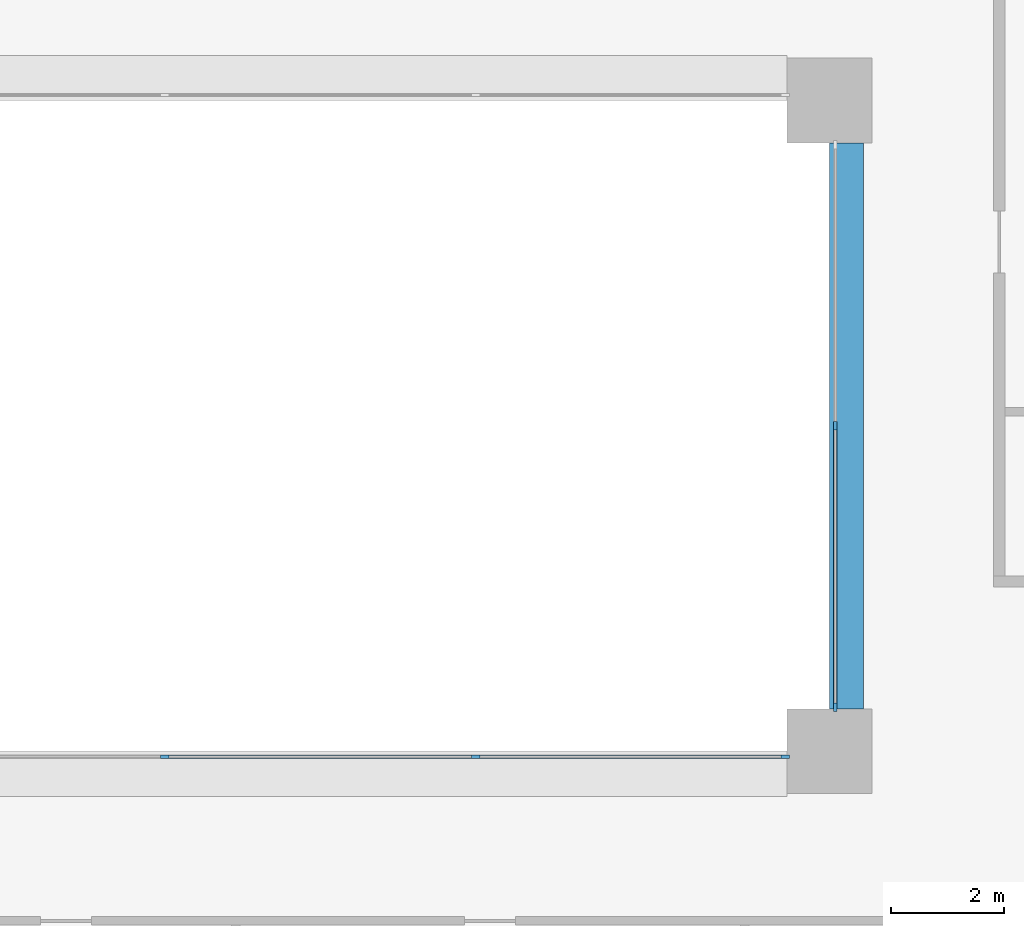
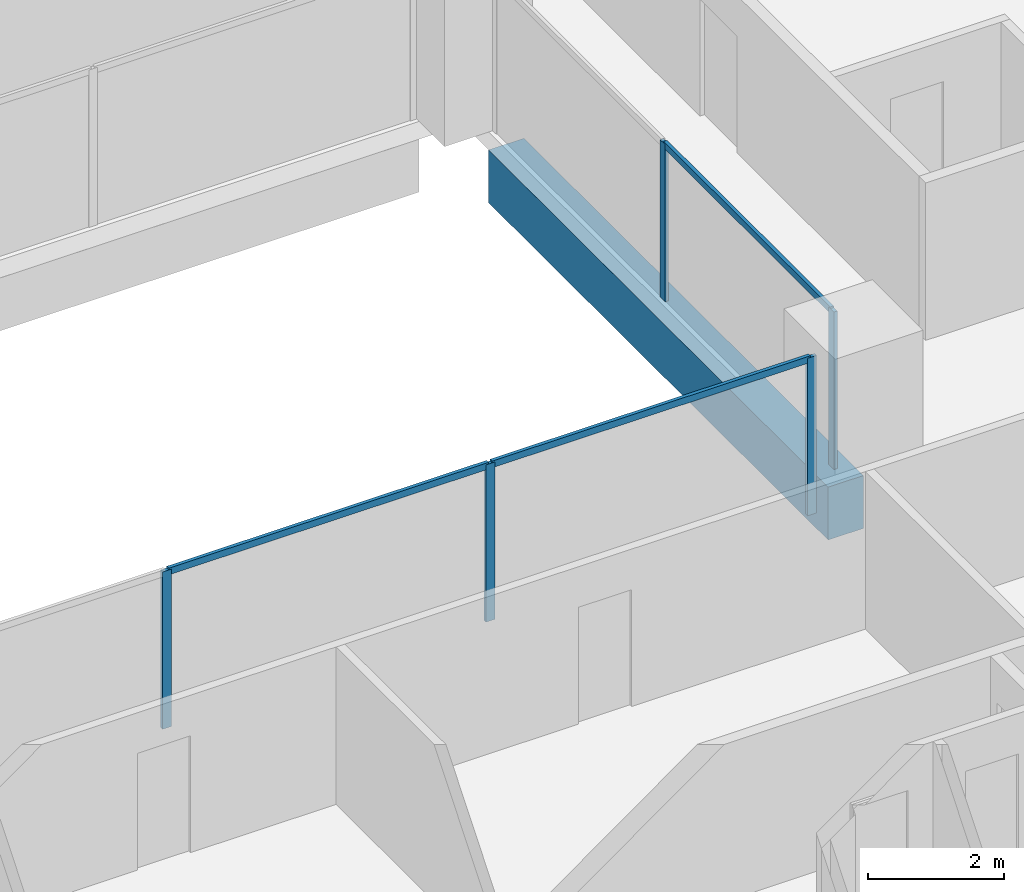
# One storey, part 4 of 19: 8 members, 1 beam, 2 elements without a shape of their own.
"""IFC4 building model written with IfcOpenShell, lengths in metres."""

from ifc_helpers import new_model, si_unit, direction, frame, origin, origin_2d, place, context, subcontext, project, spatial, rectangle, extrude, material, layer, layer_set, material_profile, profile_set, type_object, element, aggregate, save


model = new_model("IFC4")

# Units and contexts
model_context = context("Model", 3, precision=1e-05, world=origin(), true_north=direction((0.0, 1.0)))
body_context = subcontext(model_context, "Body", "Model", "MODEL_VIEW")
ifc_project = project(units=[si_unit("LENGTHUNIT", "METRE"), si_unit("AREAUNIT", "SQUARE_METRE"), si_unit("VOLUMEUNIT", "CUBIC_METRE"), si_unit("PLANEANGLEUNIT", "RADIAN"), si_unit("MASSUNIT", "GRAM", prefix="KILO")], contexts=[model_context])

# Site, building, storey
site_placement = place(None, origin())
site = spatial("IfcSite", under=ifc_project, at=site_placement, CompositionType="ELEMENT")
building_placement = place(site_placement, origin())
building = spatial("IfcBuilding", under=site, at=building_placement, Name="Brigalow Station Residences", CompositionType="ELEMENT")
storey_placement = place(building_placement, frame((0.0, 0.0, 32.10009765625)))
storey = spatial("IfcBuildingStorey", under=building, at=storey_placement, Name="L08", CompositionType="ELEMENT", Elevation=32.10009765625)

# Beam
ifc_material_1 = material(Name="Concrete C65", Category="concrete")
ifc_material_profile_1 = material_profile(ifc_material_1, rectangle(XDim=0.60009765625, YDim=0.949951171875, at=origin_2d()), Name="RC600x950")
ifc_profile_set_1 = profile_set([ifc_material_profile_1], Name="Concrete C65")
beam_type = type_object("IfcBeamType", Name="ATRIUM EDGE GIRDER 600x950 C65", PredefinedType="BEAM", material=ifc_profile_set_1)
beam_placement = place(storey_placement, frame((45.300048828125, 24.75, -0.795166015625), z_axis=(0.0, 1.0, 0.0), x_axis=(-1.0, 0.0, 0.0)))
element("IfcBeam", 1, at=beam_placement, inside=storey, type_object=beam_type, Name="ATRIUM EDGE GIRDER 5 L08", PredefinedType="BEAM", context=body_context, shape_type="SweptSolid", body=[
    extrude(rectangle(XDim=0.60009765625, YDim=0.949951171875, at=origin_2d()), origin(), (0.0, 0.0, 1.0), 10.0),
])

# Curtain wall, members
ifc_material_2 = material(Name="Aluminium", Category="aluminium")
ifc_layer = layer(ifc_material_2, 0.14990234375)
ifc_layer_set = layer_set([ifc_layer], Name="ATRIUM FIRE-RATED GLAZING CURTAIN WALL")
curtain_wall_type = type_object("IfcCurtainWallType", Name="ATRIUM FIRE-RATED GLAZING CURTAIN WALL", PredefinedType="NOTDEFINED", material=ifc_layer_set)
curtain_wall_1_placement = place(storey_placement, origin())
curtain_wall_1 = element("IfcCurtainWall", 2, at=curtain_wall_1_placement, inside=storey, type_object=curtain_wall_type, Name="L08/cw/atrium-S", PredefinedType="NOTDEFINED")
ifc_material_3 = material(Name="Aluminium", Category="aluminium")
ifc_material_profile_2 = material_profile(ifc_material_3, rectangle(XDim=0.06005859375, YDim=0.14990234375, at=origin_2d()), Name="ATRIUM FIRE-RATED GLAZING MULLION 60x150")
ifc_profile_set_2 = profile_set([ifc_material_profile_2], Name="Aluminium")
member_type_1 = type_object("IfcMemberType", Name="ATRIUM FIRE-RATED GLAZING MULLION 60x150", PredefinedType="MULLION", material=ifc_profile_set_2)
member_1_placement = place(storey_placement, frame((33.25, 23.89990234375, 0.0), z_axis=(0.0, 0.0, 1.0), x_axis=(0.0, 1.0, 0.0)))
member_1 = element("IfcMember", 3, at=member_1_placement, type_object=member_type_1, Name="L08/cw/atrium-S/M01", PredefinedType="MULLION", context=body_context, shape_type="SweptSolid", body=[
    extrude(rectangle(XDim=0.06005859375, YDim=0.14990234375, at=origin_2d()), origin(), (0.0, 0.0, 1.0), 2.829833984375),
])
member_2_placement = place(storey_placement, frame((38.75, 23.89990234375, 0.0), z_axis=(0.0, 0.0, 1.0), x_axis=(0.0, 1.0, 0.0)))
member_2 = element("IfcMember", 4, at=member_2_placement, type_object=member_type_1, Name="L08/cw/atrium-S/M02", PredefinedType="MULLION", context=body_context, shape_type="SweptSolid", body=[
    extrude(rectangle(XDim=0.06005859375, YDim=0.14990234375, at=origin_2d()), origin(), (0.0, 0.0, 1.0), 2.829833984375),
])
member_3_placement = place(storey_placement, frame((44.219970703125, 23.89990234375, 0.0), z_axis=(0.0, 0.0, 1.0), x_axis=(0.0, 1.0, 0.0)))
member_3 = element("IfcMember", 5, at=member_3_placement, type_object=member_type_1, Name="L08/cw/atrium-S/M03", PredefinedType="MULLION", context=body_context, shape_type="SweptSolid", body=[
    extrude(rectangle(XDim=0.06005859375, YDim=0.14990234375, at=origin_2d()), origin(), (0.0, 0.0, 1.0), 2.829833984375),
])

curtain_wall_2_placement = place(storey_placement, origin())
curtain_wall_2 = element("IfcCurtainWall", 6, at=curtain_wall_2_placement, inside=storey, type_object=curtain_wall_type, Name="L08/cw/atrium-E", PredefinedType="NOTDEFINED")
member_4_placement = place(storey_placement, frame((45.10009765625, 24.780029296875, 0.0), z_axis=(0.0, 0.0, 1.0), x_axis=(-1.0, 0.0, 0.0)))
member_4 = element("IfcMember", 7, at=member_4_placement, type_object=member_type_1, Name="L08/cw/atrium-E/M00", PredefinedType="MULLION", context=body_context, shape_type="SweptSolid", body=[
    extrude(rectangle(XDim=0.06005859375, YDim=0.14990234375, at=origin_2d()), origin(), (0.0, 0.0, 1.0), 2.829833984375),
])
member_5_placement = place(storey_placement, frame((45.10009765625, 29.75, 0.0), z_axis=(0.0, 0.0, 1.0), x_axis=(-1.0, 0.0, 0.0)))
member_5 = element("IfcMember", 8, at=member_5_placement, type_object=member_type_1, Name="L08/cw/atrium-E/M01", PredefinedType="MULLION", context=body_context, shape_type="SweptSolid", body=[
    extrude(rectangle(XDim=0.06005859375, YDim=0.14990234375, at=origin_2d()), origin(), (0.0, 0.0, 1.0), 2.829833984375),
])

# Member
ifc_material_4 = material(Name="Aluminium", Category="aluminium")
ifc_material_profile_3 = material_profile(ifc_material_4, rectangle(XDim=0.06005859375, YDim=0.1201171875, at=origin_2d()), Name="ATRIUM FIRE-RATED GLAZING TRANSOM 60x120")
ifc_profile_set_3 = profile_set([ifc_material_profile_3], Name="Aluminium")
member_type_2 = type_object("IfcMemberType", Name="ATRIUM FIRE-RATED GLAZING TRANSOM 60x120", PredefinedType="USERDEFINED", material=ifc_profile_set_3)
member_6_placement = place(storey_placement, frame((33.280029296875, 23.89990234375, 2.7998046875), z_axis=(1.0, 0.0, 0.0), x_axis=(0.0, 1.0, 0.0)))
member_6 = element("IfcMember", 9, at=member_6_placement, type_object=member_type_2, Name="L08/cw/atrium-S/T01-00", ObjectType="TRANSOM", PredefinedType="USERDEFINED", context=body_context, shape_type="SweptSolid", body=[
    extrude(rectangle(XDim=0.06005859375, YDim=0.1201171875, at=origin_2d()), origin(), (0.0, 0.0, 1.0), 5.43994140625),
])

member_7_placement = place(storey_placement, frame((38.780029296875, 23.89990234375, 2.7998046875), z_axis=(1.0, 0.0, 0.0), x_axis=(0.0, 1.0, 0.0)))
member_7 = element("IfcMember", 10, at=member_7_placement, type_object=member_type_2, Name="L08/cw/atrium-S/T02-00", ObjectType="TRANSOM", PredefinedType="USERDEFINED", context=body_context, shape_type="SweptSolid", body=[
    extrude(rectangle(XDim=0.06005859375, YDim=0.1201171875, at=origin_2d()), origin(), (0.0, 0.0, 1.0), 5.409912109375),
])

aggregate(curtain_wall_1, [member_1, member_2, member_3, member_6, member_7])

member_8_placement = place(storey_placement, frame((45.10009765625, 24.81005859375, 2.7998046875), z_axis=(0.0, 1.0, 0.0), x_axis=(-1.0, 0.0, 0.0)))
member_8 = element("IfcMember", 11, at=member_8_placement, type_object=member_type_2, Name="L08/cw/atrium-E/T00-00", ObjectType="TRANSOM", PredefinedType="USERDEFINED", context=body_context, shape_type="SweptSolid", body=[
    extrude(rectangle(XDim=0.06005859375, YDim=0.1201171875, at=origin_2d()), origin(), (0.0, 0.0, 1.0), 4.909912109375),
])

aggregate(curtain_wall_2, [member_4, member_5, member_8])

save(model, "model.ifc")
